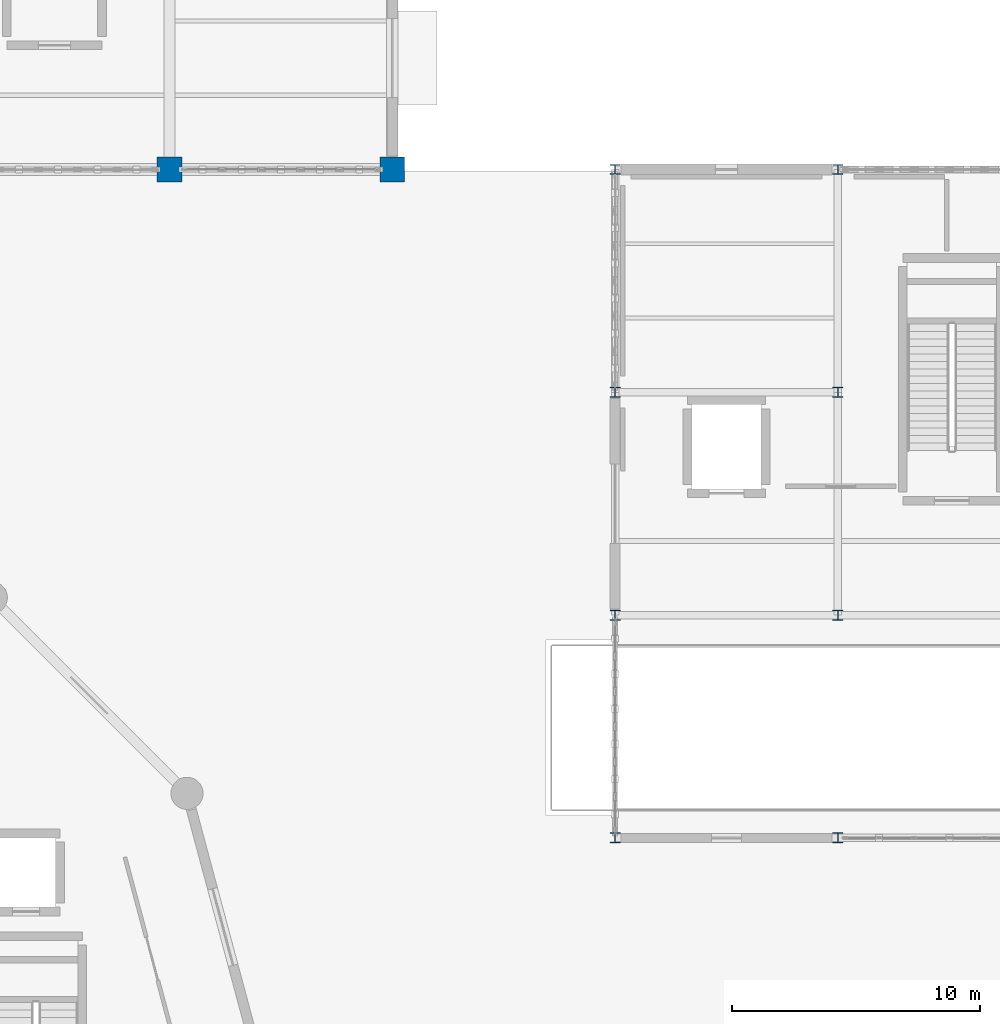
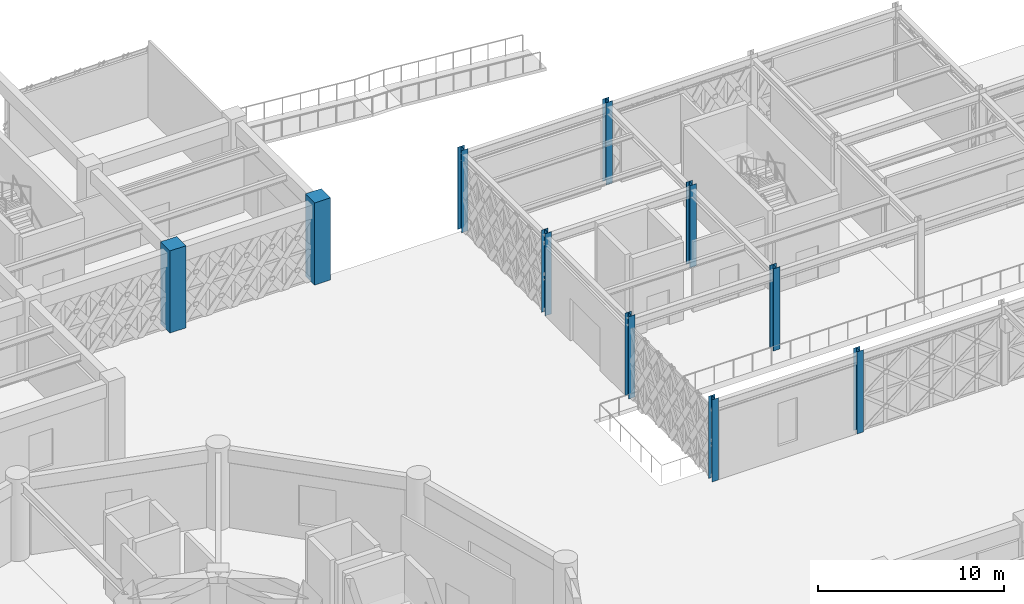
# One storey, part 4 of 140: 10 columns.
"""IFC4 building model written with IfcOpenShell, lengths in metres."""

from ifc_helpers import new_model, si_unit, direction, frame, origin, origin_2d, place, context, subcontext, project, spatial, rectangle, i_section, extrude, material, material_profile, profile_set, type_object, element, save


model = new_model("IFC4")

# Units and contexts
model_context = context("Model", 3, precision=1e-05, world=origin(), true_north=direction((0.0, 1.0)))
body_context = subcontext(model_context, "Body", "Model", "MODEL_VIEW")
ifc_project = project(units=[si_unit("LENGTHUNIT", "METRE"), si_unit("AREAUNIT", "SQUARE_METRE"), si_unit("VOLUMEUNIT", "CUBIC_METRE"), si_unit("PLANEANGLEUNIT", "RADIAN"), si_unit("MASSUNIT", "GRAM", prefix="KILO")], contexts=[model_context])

# Site, building, storey
site_placement = place(None, origin())
site = spatial("IfcSite", under=ifc_project, at=site_placement, CompositionType="ELEMENT")
building_placement = place(site_placement, origin())
building = spatial("IfcBuilding", under=site, at=building_placement, Name="Haizhuo Lancet Aquarium", CompositionType="ELEMENT")
storey_placement = place(building_placement, origin())
storey = spatial("IfcBuildingStorey", under=building, at=storey_placement, Name="L00", CompositionType="ELEMENT", Elevation=0.0)

# Columns
ifc_material_1 = material(Name="Concrete C50/60", Category="concrete")
ifc_material_profile_1 = material_profile(ifc_material_1, rectangle(XDim=1.0, YDim=1.0, at=origin_2d()), Name="RC-COL 1000x1000")
ifc_profile_set_1 = profile_set([ifc_material_profile_1], Name="Concrete C50/60")
column_type_1 = type_object("IfcColumnType", Name="COL-RC-1000", PredefinedType="COLUMN", material=ifc_profile_set_1)
for number, where, z_axis, x_axis, name in (
    (1, (18.0, 36.0, 0.0), (0.0, 0.0, 1.0), (1.0, 0.0, 0.0), "L00 column V5-COL-103"),
    (2, (27.0, 36.0, 0.0), (0.0, 0.0, 1.0), (1.0, 0.0, 0.0), "L00 column V5-COL-106"),
):
    element("IfcColumn", number, at=place(storey_placement, frame(where, z_axis=z_axis, x_axis=x_axis)), inside=storey, type_object=column_type_1, Name=name, PredefinedType="COLUMN", context=body_context, shape_type="SweptSolid", body=[
        extrude(rectangle(XDim=1.0, YDim=1.0, at=origin_2d()), origin(), (0.0, 0.0, 1.0), 5.39990234375),
    ])
ifc_material_2 = material(Name="Steel S355", Category="steel")
ifc_material_profile_2 = material_profile(ifc_material_2, i_section(OverallWidth=0.39990234375, OverallDepth=0.39990234375, WebThickness=0.012939453125, FlangeThickness=0.02099609375, FilletRadius=0.02197265625, at=origin_2d()), Name="HW 400x400x13x21")
ifc_profile_set_2 = profile_set([ifc_material_profile_2], Name="Steel S355")
column_type_2 = type_object("IfcColumnType", Name="COL-ST-HW400", PredefinedType="COLUMN", material=ifc_profile_set_2)
for number, where, z_axis, x_axis, name in (
    (3, (36.0, 9.0, 0.0), (0.0, 0.0, 1.0), (1.0, 0.0, 0.0), "L00 column V7-COL-128"),
    (4, (36.0, 18.0, 0.0), (0.0, 0.0, 1.0), (1.0, 0.0, 0.0), "L00 column V7-COL-129"),
    (5, (36.0, 27.0, 0.0), (0.0, 0.0, 1.0), (1.0, 0.0, 0.0), "L00 column V7-COL-130"),
    (6, (36.0, 36.0, 0.0), (0.0, 0.0, 1.0), (1.0, 0.0, 0.0), "L00 column V7-COL-131"),
    (7, (45.0, 9.0, 0.0), (0.0, 0.0, 1.0), (1.0, 0.0, 0.0), "L00 column V7-COL-132"),
    (8, (45.0, 18.0, 0.0), (0.0, 0.0, 1.0), (1.0, 0.0, 0.0), "L00 column V7-COL-133"),
    (9, (45.0, 27.0, 0.0), (0.0, 0.0, 1.0), (1.0, 0.0, 0.0), "L00 column V7-COL-134"),
    (10, (45.0, 36.0, 0.0), (0.0, 0.0, 1.0), (1.0, 0.0, 0.0), "L00 column V7-COL-135"),
):
    element("IfcColumn", number, at=place(storey_placement, frame(where, z_axis=z_axis, x_axis=x_axis)), inside=storey, type_object=column_type_2, Name=name, PredefinedType="COLUMN", context=body_context, shape_type="SweptSolid", body=[
        extrude(i_section(OverallWidth=0.39990234375, OverallDepth=0.39990234375, WebThickness=0.012939453125, FlangeThickness=0.02099609375, FilletRadius=0.02197265625, at=origin_2d()), origin(), (0.0, 0.0, 1.0), 5.39990234375),
    ])

save(model, "model.ifc")
